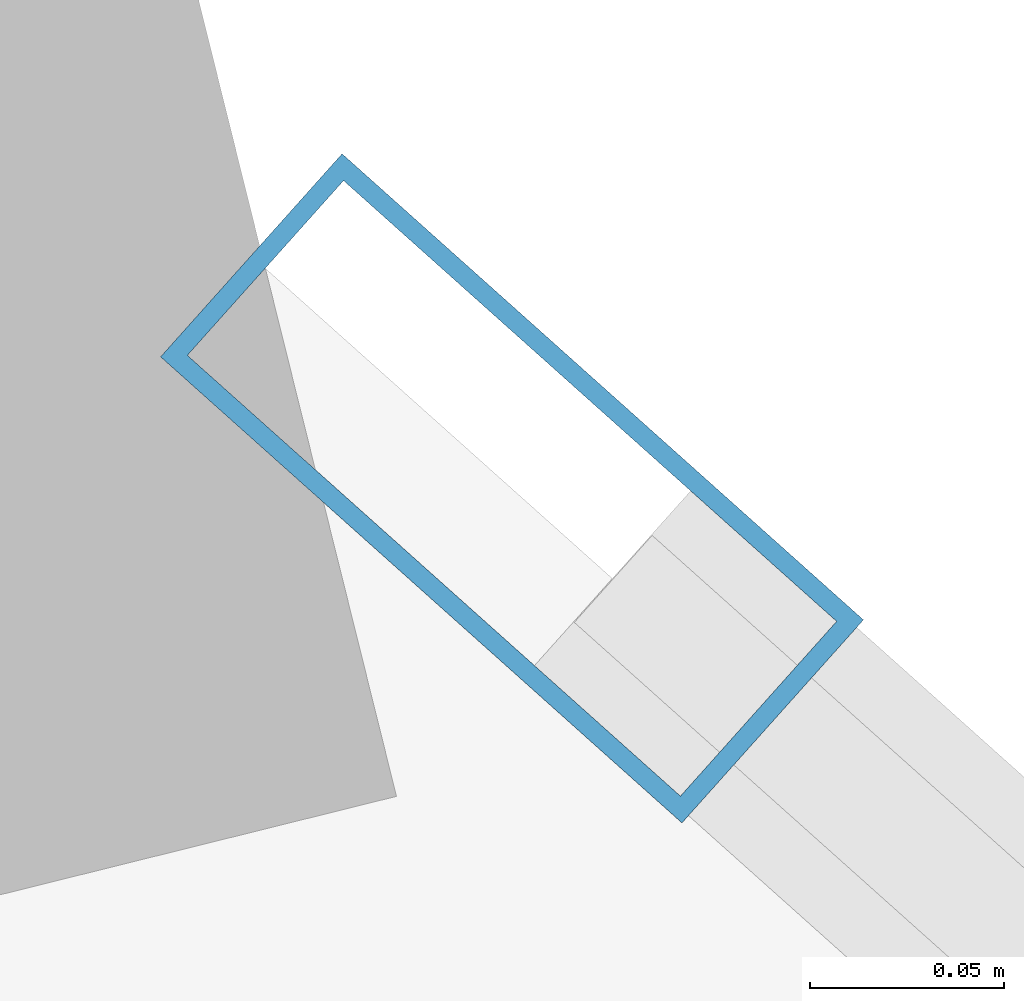
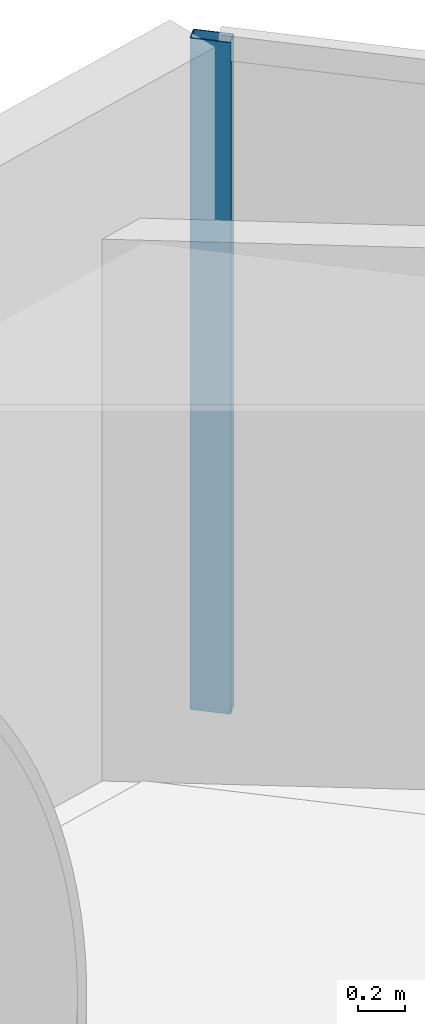
# One storey, part 16 of 24: 1 member, 1 element without a shape of its own.
"""IFC4 building model written with IfcOpenShell, lengths in metres."""

from ifc_helpers import new_model, si_unit, direction, frame, origin, origin_2d, place, context, subcontext, project, spatial, hollow_rectangle, extrude, material, layer, layer_set, material_profile, profile_set, type_object, element, aggregate, save


model = new_model("IFC4")

# Units and contexts
model_context = context("Model", 3, precision=1e-05, world=origin(), true_north=direction((0.0, 1.0)))
body_context = subcontext(model_context, "Body", "Model", "MODEL_VIEW")
ifc_project = project(units=[si_unit("LENGTHUNIT", "METRE"), si_unit("AREAUNIT", "SQUARE_METRE"), si_unit("VOLUMEUNIT", "CUBIC_METRE"), si_unit("PLANEANGLEUNIT", "RADIAN"), si_unit("MASSUNIT", "GRAM", prefix="KILO")], contexts=[model_context])

# Site, building, storey
site_placement = place(None, origin())
site = spatial("IfcSite", under=ifc_project, at=site_placement, CompositionType="ELEMENT")
building_placement = place(site_placement, origin())
building = spatial("IfcBuilding", under=site, at=building_placement, Name="Qianvela Tower", CompositionType="ELEMENT")
storey_placement = place(building_placement, frame((0.0, 0.0, 71.0)))
storey = spatial("IfcBuildingStorey", under=building, at=storey_placement, Name="L17", CompositionType="ELEMENT", Elevation=71.0)

# Curtain wall, member
ifc_material_1 = material(Name="Anodised Architectural Aluminium and Low-E Glass", Category="aluminium")
ifc_layer = layer(ifc_material_1, 0.179931640625)
ifc_layer_set = layer_set([ifc_layer], Name="Anodised Architectural Aluminium and Low-E Glass")
curtain_wall_type = type_object("IfcCurtainWallType", Name="CW-COLIV-Z12", PredefinedType="USERDEFINED", material=ifc_layer_set)
curtain_wall_placement = place(storey_placement, origin())
curtain_wall = element("IfcCurtainWall", 1, at=curtain_wall_placement, inside=storey, type_object=curtain_wall_type, Name="L17 CW-COLIV-Z12 Curtain Wall 02C", ObjectType="CURTAIN_WALL_SYSTEM", PredefinedType="USERDEFINED")
ifc_material_2 = material(Name="Anodised Architectural Aluminium 6063-T6", Category="aluminium")
ifc_material_profile = material_profile(ifc_material_2, hollow_rectangle(XDim=0.070068359375, YDim=0.179931640625, WallThickness=0.0048828125, at=origin_2d()), Name="ALU-MULL-70x180")
ifc_profile_set = profile_set([ifc_material_profile], Name="Anodised Architectural Aluminium 6063-T6")
member_type = type_object("IfcMemberType", Name="CW-COLIV-Z12-MULL", PredefinedType="MULLION", material=ifc_profile_set)
member_placement = place(storey_placement, frame((36.327392578125, 44.65625, 0.0), z_axis=(0.0, 0.0, 1.0), x_axis=(-0.666448152334, -0.74555138002, 0.0)))
member = element("IfcMember", 2, at=member_placement, type_object=member_type, Name="CW-3 mullion 2", PredefinedType="MULLION", context=body_context, shape_type="SweptSolid", body=[
    extrude(hollow_rectangle(XDim=0.070068359375, YDim=0.179931640625, WallThickness=0.0048828125, at=origin_2d()), origin(), (0.0, 0.0, 1.0), 3.52001953125),
])
aggregate(curtain_wall, [member])

save(model, "model.ifc")
